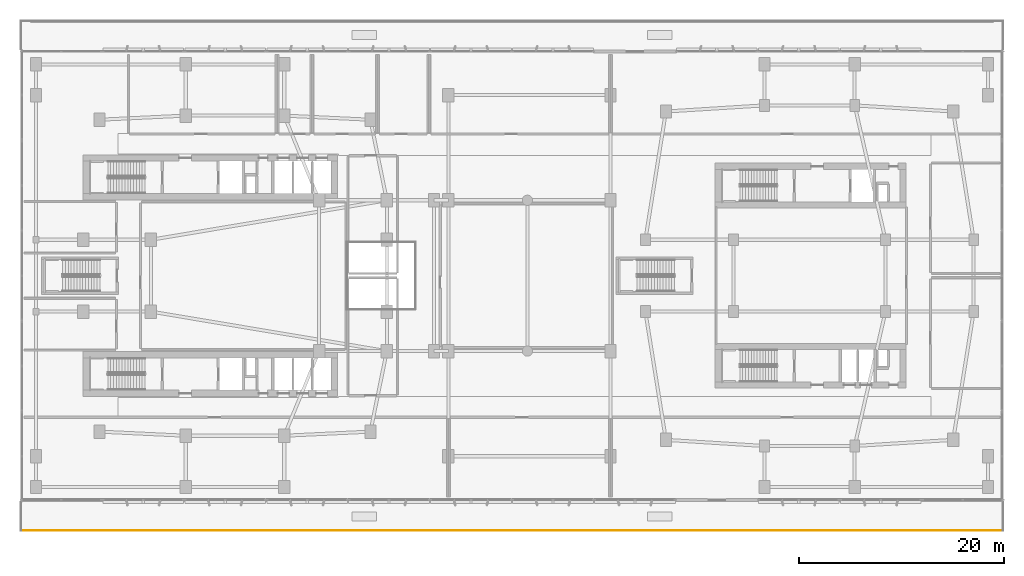
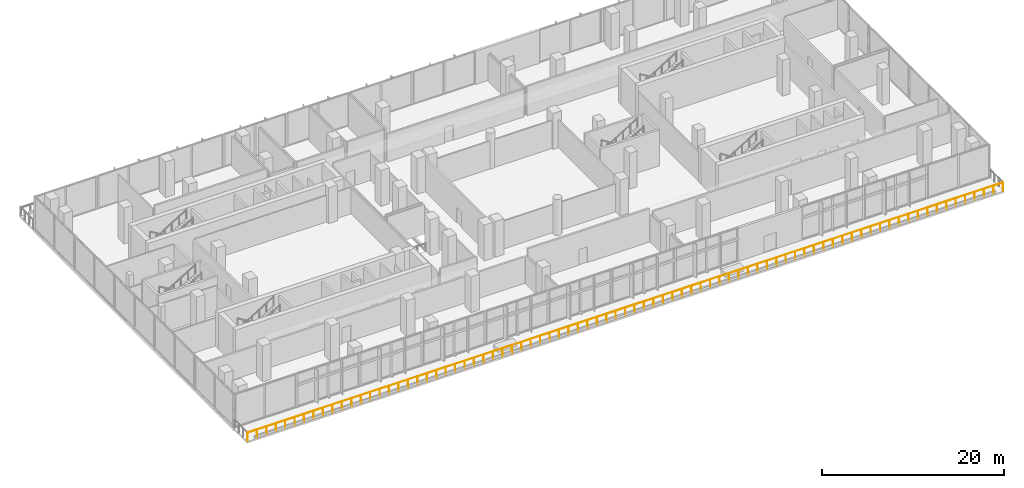
# One storey, part 22 of 30: 1 railing.
"""IFC4 building model written with IfcOpenShell, lengths in metres."""

from ifc_helpers import new_model, si_unit, derived_unit, direction, frame, origin, origin_2d, place, context, subcontext, project, spatial, circle, extrude, material, type_object, element, save


model = new_model("IFC4")

# Units and contexts
model_context = context("Model", 3, precision=1e-05, world=origin(), true_north=direction((0.0, 1.0)))
body_context = subcontext(model_context, "Body", "Model", "MODEL_VIEW")
ifc_project = project(units=[si_unit("LENGTHUNIT", "METRE"), si_unit("AREAUNIT", "SQUARE_METRE"), si_unit("VOLUMEUNIT", "CUBIC_METRE"), si_unit("PLANEANGLEUNIT", "RADIAN"), si_unit("MASSUNIT", "GRAM", prefix="KILO"), derived_unit("THERMALTRANSMITTANCEUNIT", [(si_unit("POWERUNIT", "WATT"), 1), (si_unit("LENGTHUNIT", "METRE"), -2), (si_unit("THERMODYNAMICTEMPERATUREUNIT", "KELVIN"), -1)])], contexts=[model_context])

# Site, building, storey
site_placement = place(None, origin())
site = spatial("IfcSite", under=ifc_project, at=site_placement, CompositionType="ELEMENT")
building_placement = place(site_placement, origin())
building = spatial("IfcBuilding", under=site, at=building_placement, Name="Kivonza Crest Hotel", CompositionType="ELEMENT")
storey_placement = place(building_placement, frame((0.0, 0.0, 10.199951171875)))
storey = spatial("IfcBuildingStorey", under=building, at=storey_placement, Name="L02", CompositionType="ELEMENT", Elevation=10.199951171875)

# Railing
ifc_material = material(Name="Laminated glass and stainless steel balustrade", Category="steel")
railing_type = type_object("IfcRailingType", Name="RL-TERR-1150", PredefinedType="BALUSTRADE", material=ifc_material)
railing_placement = place(storey_placement, frame((95.840087890625, 0.159912109375, 0.0)))
element("IfcRailing", 1, at=railing_placement, inside=storey, type_object=railing_type, Name="L02 POD-L02-T1 perimeter safety balustrade 3", PredefinedType="BALUSTRADE", context=body_context, shape_type="SweptSolid", body=[
    extrude(circle(Radius=0.02392578125, at=origin_2d()), frame((0.0, 0.0, 1.1259765625), z_axis=(-1.0, 0.0, 0.0), x_axis=(0.0, -1.0, 0.0)), (0.0, 0.0, 1.0), 95.68017578125),
    extrude(circle(Radius=0.02099609375, at=origin_2d()), origin(), (0.0, 0.0, 1.0), 1.101806640625),
    extrude(circle(Radius=0.02099609375, at=origin_2d()), frame((-1.196044921875, 0.0, 0.0)), (0.0, 0.0, 1.0), 1.101806640625),
    extrude(circle(Radius=0.02099609375, at=origin_2d()), frame((-2.39208984375, 0.0, 0.0)), (0.0, 0.0, 1.0), 1.101806640625),
    extrude(circle(Radius=0.02099609375, at=origin_2d()), frame((-3.587890625, 0.0, 0.0)), (0.0, 0.0, 1.0), 1.101806640625),
    extrude(circle(Radius=0.02099609375, at=origin_2d()), frame((-4.783935546875, 0.0, 0.0)), (0.0, 0.0, 1.0), 1.101806640625),
    extrude(circle(Radius=0.02099609375, at=origin_2d()), frame((-5.97998046875, 0.0, 0.0)), (0.0, 0.0, 1.0), 1.101806640625),
    extrude(circle(Radius=0.02099609375, at=origin_2d()), frame((-7.176025390625, 0.0, 0.0)), (0.0, 0.0, 1.0), 1.101806640625),
    extrude(circle(Radius=0.02099609375, at=origin_2d()), frame((-8.3720703125, 0.0, 0.0)), (0.0, 0.0, 1.0), 1.101806640625),
    extrude(circle(Radius=0.02099609375, at=origin_2d()), frame((-9.568115234375, 0.0, 0.0)), (0.0, 0.0, 1.0), 1.101806640625),
    extrude(circle(Radius=0.02099609375, at=origin_2d()), frame((-10.763916015625, 0.0, 0.0)), (0.0, 0.0, 1.0), 1.101806640625),
    extrude(circle(Radius=0.02099609375, at=origin_2d()), frame((-11.9599609375, 0.0, 0.0)), (0.0, 0.0, 1.0), 1.101806640625),
    extrude(circle(Radius=0.02099609375, at=origin_2d()), frame((-13.156005859375, 0.0, 0.0)), (0.0, 0.0, 1.0), 1.101806640625),
    extrude(circle(Radius=0.02099609375, at=origin_2d()), frame((-14.35205078125, 0.0, 0.0)), (0.0, 0.0, 1.0), 1.101806640625),
    extrude(circle(Radius=0.02099609375, at=origin_2d()), frame((-15.548095703125, 0.0, 0.0)), (0.0, 0.0, 1.0), 1.101806640625),
    extrude(circle(Radius=0.02099609375, at=origin_2d()), frame((-16.744140625, 0.0, 0.0)), (0.0, 0.0, 1.0), 1.101806640625),
    extrude(circle(Radius=0.02099609375, at=origin_2d()), frame((-17.93994140625, 0.0, 0.0)), (0.0, 0.0, 1.0), 1.101806640625),
    extrude(circle(Radius=0.02099609375, at=origin_2d()), frame((-19.135986328125, 0.0, 0.0)), (0.0, 0.0, 1.0), 1.101806640625),
    extrude(circle(Radius=0.02099609375, at=origin_2d()), frame((-20.33203125, 0.0, 0.0)), (0.0, 0.0, 1.0), 1.101806640625),
    extrude(circle(Radius=0.02099609375, at=origin_2d()), frame((-21.528076171875, 0.0, 0.0)), (0.0, 0.0, 1.0), 1.101806640625),
    extrude(circle(Radius=0.02099609375, at=origin_2d()), frame((-22.72412109375, 0.0, 0.0)), (0.0, 0.0, 1.0), 1.101806640625),
    extrude(circle(Radius=0.02099609375, at=origin_2d()), frame((-23.919921875, 0.0, 0.0)), (0.0, 0.0, 1.0), 1.101806640625),
    extrude(circle(Radius=0.02099609375, at=origin_2d()), frame((-25.115966796875, 0.0, 0.0)), (0.0, 0.0, 1.0), 1.101806640625),
    extrude(circle(Radius=0.02099609375, at=origin_2d()), frame((-26.31201171875, 0.0, 0.0)), (0.0, 0.0, 1.0), 1.101806640625),
    extrude(circle(Radius=0.02099609375, at=origin_2d()), frame((-27.508056640625, 0.0, 0.0)), (0.0, 0.0, 1.0), 1.101806640625),
    extrude(circle(Radius=0.02099609375, at=origin_2d()), frame((-28.7041015625, 0.0, 0.0)), (0.0, 0.0, 1.0), 1.101806640625),
    extrude(circle(Radius=0.02099609375, at=origin_2d()), frame((-29.900146484375, 0.0, 0.0)), (0.0, 0.0, 1.0), 1.101806640625),
    extrude(circle(Radius=0.02099609375, at=origin_2d()), frame((-31.095947265625, 0.0, 0.0)), (0.0, 0.0, 1.0), 1.101806640625),
    extrude(circle(Radius=0.02099609375, at=origin_2d()), frame((-32.2919921875, 0.0, 0.0)), (0.0, 0.0, 1.0), 1.101806640625),
    extrude(circle(Radius=0.02099609375, at=origin_2d()), frame((-33.488037109375, 0.0, 0.0)), (0.0, 0.0, 1.0), 1.101806640625),
    extrude(circle(Radius=0.02099609375, at=origin_2d()), frame((-34.68408203125, 0.0, 0.0)), (0.0, 0.0, 1.0), 1.101806640625),
    extrude(circle(Radius=0.02099609375, at=origin_2d()), frame((-35.880126953125, 0.0, 0.0)), (0.0, 0.0, 1.0), 1.101806640625),
    extrude(circle(Radius=0.02099609375, at=origin_2d()), frame((-37.076171875, 0.0, 0.0)), (0.0, 0.0, 1.0), 1.101806640625),
    extrude(circle(Radius=0.02099609375, at=origin_2d()), frame((-38.27197265625, 0.0, 0.0)), (0.0, 0.0, 1.0), 1.101806640625),
    extrude(circle(Radius=0.02099609375, at=origin_2d()), frame((-39.468017578125, 0.0, 0.0)), (0.0, 0.0, 1.0), 1.101806640625),
    extrude(circle(Radius=0.02099609375, at=origin_2d()), frame((-40.6640625, 0.0, 0.0)), (0.0, 0.0, 1.0), 1.101806640625),
    extrude(circle(Radius=0.02099609375, at=origin_2d()), frame((-41.860107421875, 0.0, 0.0)), (0.0, 0.0, 1.0), 1.101806640625),
    extrude(circle(Radius=0.02099609375, at=origin_2d()), frame((-43.05615234375, 0.0, 0.0)), (0.0, 0.0, 1.0), 1.101806640625),
    extrude(circle(Radius=0.02099609375, at=origin_2d()), frame((-44.252197265625, 0.0, 0.0)), (0.0, 0.0, 1.0), 1.101806640625),
    extrude(circle(Radius=0.02099609375, at=origin_2d()), frame((-45.447998046875, 0.0, 0.0)), (0.0, 0.0, 1.0), 1.101806640625),
    extrude(circle(Radius=0.02099609375, at=origin_2d()), frame((-46.64404296875, 0.0, 0.0)), (0.0, 0.0, 1.0), 1.101806640625),
    extrude(circle(Radius=0.02099609375, at=origin_2d()), frame((-47.840087890625, 0.0, 0.0)), (0.0, 0.0, 1.0), 1.101806640625),
    extrude(circle(Radius=0.02099609375, at=origin_2d()), frame((-49.0361328125, 0.0, 0.0)), (0.0, 0.0, 1.0), 1.101806640625),
    extrude(circle(Radius=0.02099609375, at=origin_2d()), frame((-50.232177734375, 0.0, 0.0)), (0.0, 0.0, 1.0), 1.101806640625),
    extrude(circle(Radius=0.02099609375, at=origin_2d()), frame((-51.427978515625, 0.0, 0.0)), (0.0, 0.0, 1.0), 1.101806640625),
    extrude(circle(Radius=0.02099609375, at=origin_2d()), frame((-52.6240234375, 0.0, 0.0)), (0.0, 0.0, 1.0), 1.101806640625),
    extrude(circle(Radius=0.02099609375, at=origin_2d()), frame((-53.820068359375, 0.0, 0.0)), (0.0, 0.0, 1.0), 1.101806640625),
    extrude(circle(Radius=0.02099609375, at=origin_2d()), frame((-55.01611328125, 0.0, 0.0)), (0.0, 0.0, 1.0), 1.101806640625),
    extrude(circle(Radius=0.02099609375, at=origin_2d()), frame((-56.212158203125, 0.0, 0.0)), (0.0, 0.0, 1.0), 1.101806640625),
    extrude(circle(Radius=0.02099609375, at=origin_2d()), frame((-57.408203125, 0.0, 0.0)), (0.0, 0.0, 1.0), 1.101806640625),
    extrude(circle(Radius=0.02099609375, at=origin_2d()), frame((-58.60400390625, 0.0, 0.0)), (0.0, 0.0, 1.0), 1.101806640625),
    extrude(circle(Radius=0.02099609375, at=origin_2d()), frame((-59.800048828125, 0.0, 0.0)), (0.0, 0.0, 1.0), 1.101806640625),
    extrude(circle(Radius=0.02099609375, at=origin_2d()), frame((-60.99609375, 0.0, 0.0)), (0.0, 0.0, 1.0), 1.101806640625),
    extrude(circle(Radius=0.02099609375, at=origin_2d()), frame((-62.192138671875, 0.0, 0.0)), (0.0, 0.0, 1.0), 1.101806640625),
    extrude(circle(Radius=0.02099609375, at=origin_2d()), frame((-63.38818359375, 0.0, 0.0)), (0.0, 0.0, 1.0), 1.101806640625),
    extrude(circle(Radius=0.02099609375, at=origin_2d()), frame((-64.584228515625, 0.0, 0.0)), (0.0, 0.0, 1.0), 1.101806640625),
    extrude(circle(Radius=0.02099609375, at=origin_2d()), frame((-65.780029296875, 0.0, 0.0)), (0.0, 0.0, 1.0), 1.101806640625),
    extrude(circle(Radius=0.02099609375, at=origin_2d()), frame((-66.97607421875, 0.0, 0.0)), (0.0, 0.0, 1.0), 1.101806640625),
    extrude(circle(Radius=0.02099609375, at=origin_2d()), frame((-68.172119140625, 0.0, 0.0)), (0.0, 0.0, 1.0), 1.101806640625),
    extrude(circle(Radius=0.02099609375, at=origin_2d()), frame((-69.3681640625, 0.0, 0.0)), (0.0, 0.0, 1.0), 1.101806640625),
    extrude(circle(Radius=0.02099609375, at=origin_2d()), frame((-70.564208984375, 0.0, 0.0)), (0.0, 0.0, 1.0), 1.101806640625),
    extrude(circle(Radius=0.02099609375, at=origin_2d()), frame((-71.76025390625, 0.0, 0.0)), (0.0, 0.0, 1.0), 1.101806640625),
    extrude(circle(Radius=0.02099609375, at=origin_2d()), frame((-72.9560546875, 0.0, 0.0)), (0.0, 0.0, 1.0), 1.101806640625),
    extrude(circle(Radius=0.02099609375, at=origin_2d()), frame((-74.152099609375, 0.0, 0.0)), (0.0, 0.0, 1.0), 1.101806640625),
    extrude(circle(Radius=0.02099609375, at=origin_2d()), frame((-75.34814453125, 0.0, 0.0)), (0.0, 0.0, 1.0), 1.101806640625),
    extrude(circle(Radius=0.02099609375, at=origin_2d()), frame((-76.544189453125, 0.0, 0.0)), (0.0, 0.0, 1.0), 1.101806640625),
    extrude(circle(Radius=0.02099609375, at=origin_2d()), frame((-77.740234375, 0.0, 0.0)), (0.0, 0.0, 1.0), 1.101806640625),
    extrude(circle(Radius=0.02099609375, at=origin_2d()), frame((-78.93603515625, 0.0, 0.0)), (0.0, 0.0, 1.0), 1.101806640625),
    extrude(circle(Radius=0.02099609375, at=origin_2d()), frame((-80.132080078125, 0.0, 0.0)), (0.0, 0.0, 1.0), 1.101806640625),
    extrude(circle(Radius=0.02099609375, at=origin_2d()), frame((-81.328125, 0.0, 0.0)), (0.0, 0.0, 1.0), 1.101806640625),
    extrude(circle(Radius=0.02099609375, at=origin_2d()), frame((-82.524169921875, 0.0, 0.0)), (0.0, 0.0, 1.0), 1.101806640625),
    extrude(circle(Radius=0.02099609375, at=origin_2d()), frame((-83.72021484375, 0.0, 0.0)), (0.0, 0.0, 1.0), 1.101806640625),
    extrude(circle(Radius=0.02099609375, at=origin_2d()), frame((-84.916259765625, 0.0, 0.0)), (0.0, 0.0, 1.0), 1.101806640625),
    extrude(circle(Radius=0.02099609375, at=origin_2d()), frame((-86.112060546875, 0.0, 0.0)), (0.0, 0.0, 1.0), 1.101806640625),
    extrude(circle(Radius=0.02099609375, at=origin_2d()), frame((-87.30810546875, 0.0, 0.0)), (0.0, 0.0, 1.0), 1.101806640625),
    extrude(circle(Radius=0.02099609375, at=origin_2d()), frame((-88.504150390625, 0.0, 0.0)), (0.0, 0.0, 1.0), 1.101806640625),
    extrude(circle(Radius=0.02099609375, at=origin_2d()), frame((-89.7001953125, 0.0, 0.0)), (0.0, 0.0, 1.0), 1.101806640625),
    extrude(circle(Radius=0.02099609375, at=origin_2d()), frame((-90.896240234375, 0.0, 0.0)), (0.0, 0.0, 1.0), 1.101806640625),
    extrude(circle(Radius=0.02099609375, at=origin_2d()), frame((-92.09228515625, 0.0, 0.0)), (0.0, 0.0, 1.0), 1.101806640625),
    extrude(circle(Radius=0.02099609375, at=origin_2d()), frame((-93.2880859375, 0.0, 0.0)), (0.0, 0.0, 1.0), 1.101806640625),
    extrude(circle(Radius=0.02099609375, at=origin_2d()), frame((-94.484130859375, 0.0, 0.0)), (0.0, 0.0, 1.0), 1.101806640625),
    extrude(circle(Radius=0.02099609375, at=origin_2d()), frame((-95.68017578125, 0.0, 0.0)), (0.0, 0.0, 1.0), 1.101806640625),
])

save(model, "model.ifc")
